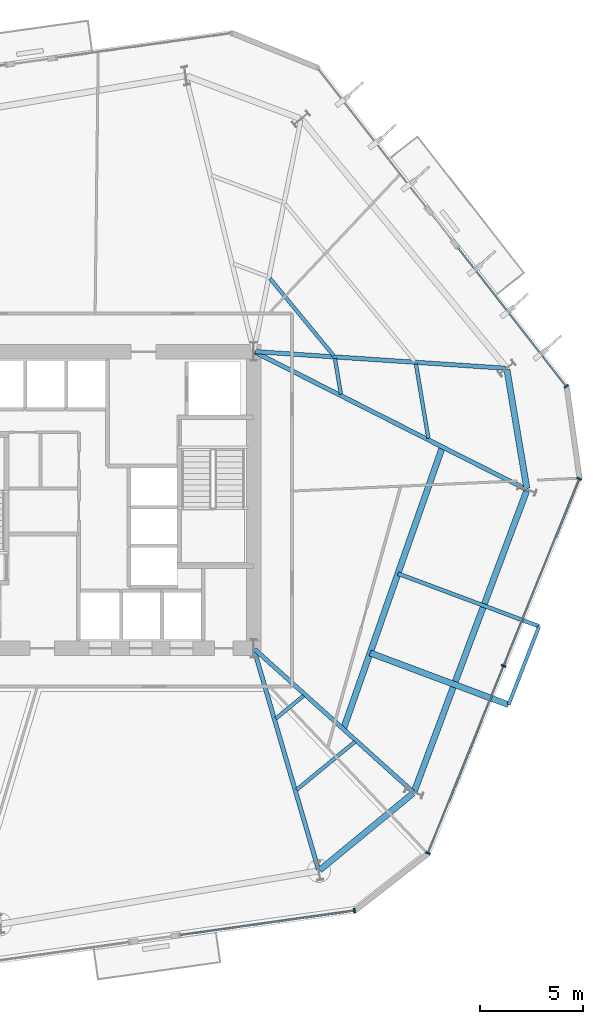
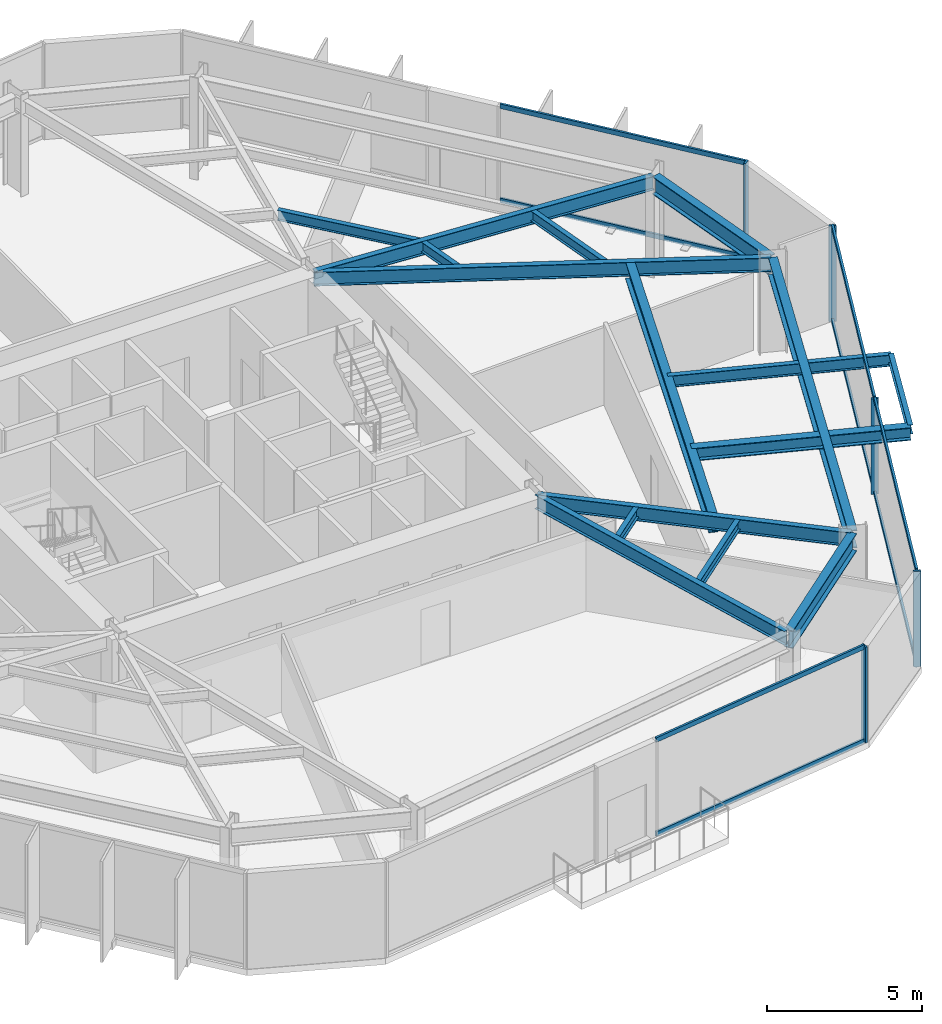
# One storey, part 3 of 10: 16 beams, 13 members, 3 elements without a shape of their own.
"""IFC4 building model written with IfcOpenShell, lengths in metres."""

import ifcopenshell
import ifcopenshell.guid

model = None  # the IFC model being written
_history = None  # IfcOwnerHistory: only IFC2X3 demands one
_inside = {}  # id of a spatial element -> (the spatial element, [elements in it])
_under = {}  # id of a project, library or spatial element -> (it, [spatial elements below it])
_declared = {}  # id of a project -> (the project, [libraries it declares])
_typed = {}  # id of a type object -> (the type object, [elements of that type])
_made_of = {}  # id of a material, layer set ... -> (it, [elements and type objects made of it])


def new_model(schema):
    """Start an empty IFC model of exactly this schema.

    Asked for "IFC4X3", IfcOpenShell would pick the latest addendum, in which some entities
    have other attributes; the version numbers below select the first issue.
    IFC2X3 requires an IfcOwnerHistory on every rooted entity: one is made here for all.
    """
    global model, _history
    if schema == "IFC4X3":
        model = ifcopenshell.file(schema_version=(4, 3, 0, 0))
    else:
        model = ifcopenshell.file(schema=schema)
    _inside.clear()
    _under.clear()
    _declared.clear()
    _typed.clear()
    _made_of.clear()
    _history = None
    if model.schema == "IFC2X3":
        org = make("IfcOrganization", Name="unknown")
        user = make(
            "IfcPersonAndOrganization",
            ThePerson=make("IfcPerson", FamilyName="unknown"),
            TheOrganization=org,
        )
        app = make(
            "IfcApplication",
            ApplicationDeveloper=org,
            Version="unknown",
            ApplicationFullName="unknown",
            ApplicationIdentifier="unknown",
        )
        _history = make(
            "IfcOwnerHistory",
            OwningUser=user,
            OwningApplication=app,
            ChangeAction="ADDED",
            CreationDate=0,
        )
    return model


def make(cls, **values):
    """One entity of the class cls with the attributes given. An attribute that is None is left unset."""
    return model.create_entity(
        cls, **{name: value for name, value in values.items() if value is not None}
    )


def rooted(cls, **values):
    """An entity with a GlobalId (a new one), such as an element, a storey or a relation."""
    return make(cls, GlobalId=ifcopenshell.guid.new(), OwnerHistory=_history, **values)


def si_unit(unit_type, name, prefix=None):
    """IfcSIUnit, for example si_unit("LENGTHUNIT", "METRE", prefix="MILLI")."""
    return make("IfcSIUnit", UnitType=unit_type, Prefix=prefix, Name=name)


def assignment(units):
    """IfcUnitAssignment: the units of a project."""
    return None if units is None else make("IfcUnitAssignment", Units=units)


def point(xyz):
    """IfcCartesianPoint."""
    return None if xyz is None else make("IfcCartesianPoint", Coordinates=xyz)


def direction(xyz):
    """IfcDirection."""
    return None if xyz is None else make("IfcDirection", DirectionRatios=xyz)


def frame(location, z_axis=None, x_axis=None):
    """IfcAxis2Placement3D, a coordinate frame: its origin and axes. An axis left out is left unset."""
    return make(
        "IfcAxis2Placement3D",
        Location=point(location),
        Axis=direction(z_axis),
        RefDirection=direction(x_axis),
    )


def frame_2d(location, x_axis=None):
    """IfcAxis2Placement2D, a coordinate frame in the plane: its origin and x axis."""
    return make(
        "IfcAxis2Placement2D", Location=point(location), RefDirection=direction(x_axis)
    )


def origin():
    """The frame at (0, 0, 0) with its axes left unset."""
    return frame((0.0, 0.0, 0.0))


def origin_2d():
    """The frame at (0, 0) in the plane with its x axis left unset."""
    return frame_2d((0.0, 0.0))


def place(relative_to, where):
    """IfcLocalPlacement: puts the frame where relative to a parent placement (None: the world)."""
    return make(
        "IfcLocalPlacement", PlacementRelTo=relative_to, RelativePlacement=where
    )


def context(
    kind, dimensions, precision=None, world=None, true_north=None, identifier=None
):
    """IfcGeometricRepresentationContext, for example the 3D "Model" context."""
    return make(
        "IfcGeometricRepresentationContext",
        ContextIdentifier=identifier,
        ContextType=kind,
        CoordinateSpaceDimension=dimensions,
        Precision=precision,
        WorldCoordinateSystem=world,
        TrueNorth=true_north,
    )


def subcontext(parent, identifier, kind, view, scale=None):
    """IfcGeometricRepresentationSubContext, for example "Body" below "Model"."""
    return make(
        "IfcGeometricRepresentationSubContext",
        ContextIdentifier=identifier,
        ContextType=kind,
        ParentContext=parent,
        TargetScale=scale,
        TargetView=view,
    )


def project(units=None, contexts=None):
    """IfcProject with its units and contexts."""
    return rooted(
        "IfcProject",
        Name="project",
        RepresentationContexts=contexts,
        UnitsInContext=assignment(units),
    )


def spatial(cls, under=None, at=None, **own):
    """A site, building, storey or space (cls), placed at a placement, below another one or the project."""
    s = rooted(cls, ObjectPlacement=at, **own)
    if under is not None:
        _under.setdefault(under.id(), (under, []))[1].append(s)
    return s


def profile(cls, at=None, kind="AREA", **sizes):
    """A parametric profile (cls). Its sizes go by their IFC names, for example OverallWidth=200.0."""
    return make(cls, ProfileType=kind, Position=at, **sizes)


def rectangle(**sizes):
    """IfcRectangleProfileDef."""
    return profile("IfcRectangleProfileDef", **sizes)


def i_section(**sizes):
    """IfcIShapeProfileDef."""
    return profile("IfcIShapeProfileDef", **sizes)


def extrude(swept, where, along, depth):
    """IfcExtrudedAreaSolid: the profile swept, set in the frame where, extruded along a direction by depth."""
    return make(
        "IfcExtrudedAreaSolid",
        SweptArea=swept,
        Position=where,
        ExtrudedDirection=direction(along),
        Depth=depth,
    )


def shape(context_of_items, identifier, shape_type, items):
    """IfcShapeRepresentation: the items that make up one representation, for example the "Body"."""
    return make(
        "IfcShapeRepresentation",
        ContextOfItems=context_of_items,
        RepresentationIdentifier=identifier,
        RepresentationType=shape_type,
        Items=items,
    )


def material(Name=None, Category=None):
    """IfcMaterial."""
    return make("IfcMaterial", Name=Name, Category=Category)


def layer(
    of_material, thickness, ventilated=None, Name=None, Category=None, Priority=None
):
    """IfcMaterialLayer: one layer of a wall or slab, of a material (None: an air gap)."""
    return make(
        "IfcMaterialLayer",
        Material=of_material,
        LayerThickness=thickness,
        IsVentilated=ventilated,
        Name=Name,
        Category=Category,
        Priority=Priority,
    )


def layer_set(layers, Name=None):
    """IfcMaterialLayerSet."""
    return make("IfcMaterialLayerSet", MaterialLayers=layers, LayerSetName=Name)


def material_profile(
    of_material, cross_section, Name=None, Category=None, Priority=None
):
    """IfcMaterialProfile: a cross section and its material."""
    return make(
        "IfcMaterialProfile",
        Name=Name,
        Material=of_material,
        Profile=cross_section,
        Priority=Priority,
        Category=Category,
    )


def profile_set(profiles, Name=None, composite=None):
    """IfcMaterialProfileSet."""
    return make(
        "IfcMaterialProfileSet",
        Name=Name,
        MaterialProfiles=profiles,
        CompositeProfile=composite,
    )


def made_of(thing, what):
    """Note that an element or type object is made of a material, layer set ...; save() writes the relation."""
    if what is not None:
        _made_of.setdefault(what.id(), (what, []))[1].append(thing)
    return thing


def type_object(cls, material=None, **own):
    """A type object (cls), such as IfcWallType, which elements share."""
    return made_of(rooted(cls, **own), material)


def element(
    cls,
    number,
    at=None,
    inside=None,
    cuts=None,
    type_object=None,
    material=None,
    context=None,
    identifier="Body",
    shape_type=None,
    held_by="IfcProductDefinitionShape",
    body=None,
    shapes=None,
    **own,
):
    """One element of the class cls, such as IfcWall. Its Tag is "e" and its number.

    at: its placement. inside: the storey or other place that contains it. cuts: it is an
    opening in that element (IfcRelVoidsElement). A single representation is given by context,
    identifier, shape_type and body (its items); several are given by shapes. held_by: the class
    of the entity that holds the representations. save() writes the other relations.
    """
    e = rooted(cls, Tag="e%d" % number, ObjectPlacement=at, **own)
    if body is not None:
        shapes = [shape(context, identifier, shape_type, body)]
    if shapes is not None:
        e.Representation = make(held_by, Representations=shapes)
    if inside is not None:
        _inside.setdefault(inside.id(), (inside, []))[1].append(e)
    if cuts is not None:
        rooted(
            "IfcRelVoidsElement", RelatingBuildingElement=cuts, RelatedOpeningElement=e
        )
    if type_object is not None:
        _typed.setdefault(type_object.id(), (type_object, []))[1].append(e)
    return made_of(e, material)


def aggregate(whole, parts):
    """IfcRelAggregates: a whole, such as a stair, and the parts it consists of."""
    return rooted("IfcRelAggregates", RelatingObject=whole, RelatedObjects=parts)


def save(model, path):
    """Write the relations noted so far, then the file.

    IfcRelAggregates (storeys below a building ...), IfcRelContainedInSpatialStructure (elements
    in a storey), IfcRelDefinesByType, IfcRelAssociatesMaterial and IfcRelDeclares: one each for
    every whole, place, type object, material and project.
    """
    for whole, parts in _under.values():
        aggregate(whole, parts)
    for where, things in _inside.values():
        rooted(
            "IfcRelContainedInSpatialStructure",
            RelatedElements=things,
            RelatingStructure=where,
        )
    for kind, things in _typed.values():
        rooted("IfcRelDefinesByType", RelatedObjects=things, RelatingType=kind)
    for what, things in _made_of.values():
        rooted("IfcRelAssociatesMaterial", RelatedObjects=things, RelatingMaterial=what)
    for by, libraries in _declared.values():
        rooted("IfcRelDeclares", RelatingContext=by, RelatedDefinitions=libraries)
    model.write(path)


model = new_model("IFC4")

# Units and contexts
model_context = context("Model", 3, precision=1e-05, world=origin(), true_north=direction((0.0, 1.0)))
body_context = subcontext(model_context, "Body", "Model", "MODEL_VIEW")
ifc_project = project(units=[si_unit("LENGTHUNIT", "METRE"), si_unit("AREAUNIT", "SQUARE_METRE"), si_unit("VOLUMEUNIT", "CUBIC_METRE"), si_unit("PLANEANGLEUNIT", "RADIAN"), si_unit("MASSUNIT", "GRAM", prefix="KILO")], contexts=[model_context])

# Site, building, storey
site_placement = place(None, origin())
site = spatial("IfcSite", under=ifc_project, at=site_placement, CompositionType="ELEMENT")
building_placement = place(site_placement, origin())
building = spatial("IfcBuilding", under=site, at=building_placement, Name="Kranzbogen Civic Tower", CompositionType="ELEMENT")
storey_placement = place(building_placement, frame((0.0, 0.0, 52.0)))
storey = spatial("IfcBuildingStorey", under=building, at=storey_placement, Name="L12", CompositionType="ELEMENT", Elevation=52.0)

# Beam
ifc_material_1 = material(Name="Steel S355", Category="steel")
ifc_material_profile_1 = material_profile(ifc_material_1, i_section(OverallWidth=0.18994140625, OverallDepth=0.449951171875, WebThickness=0.009521484375, FlangeThickness=0.0146484375, at=origin_2d()), Name="IPE 450")
ifc_profile_set_1 = profile_set([ifc_material_profile_1], Name="Steel S355")
beam_type_1 = type_object("IfcBeamType", Name="Braced Terrace Edge Beam IPE 450", PredefinedType="BEAM", material=ifc_profile_set_1)
beam_1_placement = place(storey_placement, frame((39.7958984375, 21.431884765625, 3.52490234375), z_axis=(0.936673386352, -0.350204179444, 0.0), x_axis=(0.350204179444, 0.936673386352, 0.0)))
element("IfcBeam", 1, at=beam_1_placement, inside=storey, type_object=beam_type_1, Name="L13 back-spanned terrace beam L13-TB2-2", PredefinedType="BEAM", context=body_context, shape_type="SweptSolid", body=[
    extrude(i_section(OverallWidth=0.18994140625, OverallDepth=0.449951171875, WebThickness=0.009521484375, FlangeThickness=0.0146484375, at=origin_2d()), origin(), (0.0, 0.0, 1.0), 7.306640625),
])

# Curtain wall, member
ifc_material_2 = material(Name="Pale Anodised Aluminium", Category="aluminium")
ifc_layer = layer(ifc_material_2, 0.219970703125, Name="Pale Anodised Aluminium")
ifc_layer_set = layer_set([ifc_layer], Name="Pale Anodised Aluminium")
curtain_wall_type = type_object("IfcCurtainWallType", Name="Zone 1 Stick Curtain Wall System CW-02", PredefinedType="USERDEFINED", material=ifc_layer_set)
curtain_wall_1_placement = place(storey_placement, origin())
curtain_wall_1 = element("IfcCurtainWall", 2, at=curtain_wall_1_placement, inside=storey, type_object=curtain_wall_type, Name="L12 curtain wall CW-L12-F1-S1", ObjectType="STICK CURTAIN WALL", PredefinedType="USERDEFINED")
ifc_material_profile_2 = material_profile(ifc_material_2, rectangle(XDim=0.080078125, YDim=0.239990234375, at=origin_2d()), Name="ALU-M 80x240")
ifc_profile_set_2 = profile_set([ifc_material_profile_2], Name="Pale Anodised Aluminium")
member_type_1 = type_object("IfcMemberType", Name="Curtain Wall Mullion ALU-M 80x240", PredefinedType="MULLION", material=ifc_profile_set_2)
member_1_placement = place(storey_placement, frame((47.95947265625, 30.51171875, 0.0), z_axis=(0.0, 0.0, 1.0), x_axis=(-0.615657546706, 0.788013822965, 0.0)))
member_1 = element("IfcMember", 3, at=member_1_placement, type_object=member_type_1, Name="CW-02 mullion 1", PredefinedType="MULLION", context=body_context, shape_type="SweptSolid", body=[
    extrude(rectangle(XDim=0.080078125, YDim=0.239990234375, at=origin_2d()), origin(), (0.0, 0.0, 1.0), 3.760009765625),
])

curtain_wall_2_placement = place(storey_placement, origin())
curtain_wall_2 = element("IfcCurtainWall", 4, at=curtain_wall_2_placement, inside=storey, type_object=curtain_wall_type, Name="L12 curtain wall CW-L12-F5-S2", ObjectType="STICK CURTAIN WALL", PredefinedType="USERDEFINED")
member_2_placement = place(storey_placement, frame((37.687255859375, 5.0869140625, 0.0), z_axis=(0.0, 0.0, 1.0), x_axis=(0.990267072018, 0.139180192835, 0.0)))
member_2 = element("IfcMember", 5, at=member_2_placement, type_object=member_type_1, Name="CW-02 mullion 2", PredefinedType="MULLION", context=body_context, shape_type="SweptSolid", body=[
    extrude(rectangle(XDim=0.080078125, YDim=0.239990234375, at=origin_2d()), origin(), (0.0, 0.0, 1.0), 3.760009765625),
])

# Curtain wall, members
curtain_wall_3_placement = place(storey_placement, origin())
curtain_wall_3 = element("IfcCurtainWall", 6, at=curtain_wall_3_placement, inside=storey, type_object=curtain_wall_type, Name="L12 curtain wall CW-L12-F6", ObjectType="STICK CURTAIN WALL", PredefinedType="USERDEFINED")
member_3_placement = place(storey_placement, frame((41.253173828125, 7.872802734375, 0.0), z_axis=(0.0, 0.0, 1.0), x_axis=(0.374583413468, 0.927193219537, 0.0)))
member_3 = element("IfcMember", 7, at=member_3_placement, type_object=member_type_1, Name="CW-02 mullion 1", PredefinedType="MULLION", context=body_context, shape_type="SweptSolid", body=[
    extrude(rectangle(XDim=0.080078125, YDim=0.239990234375, at=origin_2d()), origin(), (0.0, 0.0, 1.0), 3.760009765625),
])
member_4_placement = place(storey_placement, frame((44.9208984375, 16.951416015625, 0.0), z_axis=(0.0, 0.0, 1.0), x_axis=(0.374583413468, 0.927193219537, 0.0)))
member_4 = element("IfcMember", 8, at=member_4_placement, type_object=member_type_1, Name="CW-02 mullion 2", PredefinedType="MULLION", context=body_context, shape_type="SweptSolid", body=[
    extrude(rectangle(XDim=0.080078125, YDim=0.239990234375, at=origin_2d()), origin(), (0.0, 0.0, 1.0), 3.760009765625),
])
member_5_placement = place(storey_placement, frame((48.5888671875, 26.0302734375, 0.0), z_axis=(0.0, 0.0, 1.0), x_axis=(0.374583413468, 0.927193219537, 0.0)))
member_5 = element("IfcMember", 9, at=member_5_placement, type_object=member_type_1, Name="CW-02 mullion 3", PredefinedType="MULLION", context=body_context, shape_type="SweptSolid", body=[
    extrude(rectangle(XDim=0.080078125, YDim=0.239990234375, at=origin_2d()), origin(), (0.0, 0.0, 1.0), 3.760009765625),
])

# Member
ifc_material_profile_3 = material_profile(ifc_material_2, rectangle(XDim=0.080078125, YDim=0.179931640625, at=origin_2d()), Name="ALU-T 80x180")
ifc_profile_set_3 = profile_set([ifc_material_profile_3], Name="Pale Anodised Aluminium")
member_type_2 = type_object("IfcMemberType", Name="Curtain Wall Transom ALU-T 80x180", PredefinedType="USERDEFINED", material=ifc_profile_set_3)
member_6_placement = place(storey_placement, frame((47.941162109375, 30.535400390625, 0.030029296875), z_axis=(-0.615670791051, 0.788003475276, 0.0), x_axis=(-0.788003475276, -0.615670791051, 0.0)))
member_6 = element("IfcMember", 10, at=member_6_placement, type_object=member_type_2, Name="CW-02 transom 1.1", ObjectType="TRANSOM", PredefinedType="USERDEFINED", context=body_context, shape_type="SweptSolid", body=[
    extrude(rectangle(XDim=0.080078125, YDim=0.179931640625, at=origin_2d()), origin(), (0.0, 0.0, 1.0), 8.50146484375),
])

member_7_placement = place(storey_placement, frame((47.941162109375, 30.535400390625, 3.72998046875), z_axis=(-0.615670791051, 0.788003475276, 0.0), x_axis=(-0.788003475276, -0.615670791051, 0.0)))
member_7 = element("IfcMember", 11, at=member_7_placement, type_object=member_type_2, Name="CW-02 transom 1.2", ObjectType="TRANSOM", PredefinedType="USERDEFINED", context=body_context, shape_type="SweptSolid", body=[
    extrude(rectangle(XDim=0.080078125, YDim=0.179931640625, at=origin_2d()), origin(), (0.0, 0.0, 1.0), 8.50146484375),
])

aggregate(curtain_wall_1, [member_1, member_6, member_7])

member_8_placement = place(storey_placement, frame((29.238525390625, 3.8994140625, 0.030029296875), z_axis=(0.990265734132, 0.139189711557, 0.0), x_axis=(-0.139189711557, 0.990265734132, 0.0)))
member_8 = element("IfcMember", 12, at=member_8_placement, type_object=member_type_2, Name="CW-02 transom 1.1", ObjectType="TRANSOM", PredefinedType="USERDEFINED", context=body_context, shape_type="SweptSolid", body=[
    extrude(rectangle(XDim=0.080078125, YDim=0.179931640625, at=origin_2d()), origin(), (0.0, 0.0, 1.0), 8.501708984375),
])

member_9_placement = place(storey_placement, frame((29.238525390625, 3.8994140625, 3.72998046875), z_axis=(0.990265734132, 0.139189711557, 0.0), x_axis=(-0.139189711557, 0.990265734132, 0.0)))
member_9 = element("IfcMember", 13, at=member_9_placement, type_object=member_type_2, Name="CW-02 transom 1.2", ObjectType="TRANSOM", PredefinedType="USERDEFINED", context=body_context, shape_type="SweptSolid", body=[
    extrude(rectangle(XDim=0.080078125, YDim=0.179931640625, at=origin_2d()), origin(), (0.0, 0.0, 1.0), 8.501708984375),
])

aggregate(curtain_wall_2, [member_2, member_8, member_9])

member_10_placement = place(storey_placement, frame((41.264404296875, 7.900634765625, 0.030029296875), z_axis=(0.374584999088, 0.927192578949, 0.0), x_axis=(-0.927192578949, 0.374584999088, 0.0)))
member_10 = element("IfcMember", 14, at=member_10_placement, type_object=member_type_2, Name="CW-02 transom 1.1", ObjectType="TRANSOM", PredefinedType="USERDEFINED", context=body_context, shape_type="SweptSolid", body=[
    extrude(rectangle(XDim=0.080078125, YDim=0.179931640625, at=origin_2d()), origin(), (0.0, 0.0, 1.0), 9.7314453125),
])

member_11_placement = place(storey_placement, frame((41.264404296875, 7.900634765625, 3.72998046875), z_axis=(0.374584999088, 0.927192578949, 0.0), x_axis=(-0.927192578949, 0.374584999088, 0.0)))
member_11 = element("IfcMember", 15, at=member_11_placement, type_object=member_type_2, Name="CW-02 transom 1.2", ObjectType="TRANSOM", PredefinedType="USERDEFINED", context=body_context, shape_type="SweptSolid", body=[
    extrude(rectangle(XDim=0.080078125, YDim=0.179931640625, at=origin_2d()), origin(), (0.0, 0.0, 1.0), 9.7314453125),
])

member_12_placement = place(storey_placement, frame((44.93212890625, 16.979248046875, 0.030029296875), z_axis=(0.374597852927, 0.927187385905, 0.0), x_axis=(-0.927187385905, 0.374597852927, 0.0)))
member_12 = element("IfcMember", 16, at=member_12_placement, type_object=member_type_2, Name="CW-02 transom 2.1", ObjectType="TRANSOM", PredefinedType="USERDEFINED", context=body_context, shape_type="SweptSolid", body=[
    extrude(rectangle(XDim=0.080078125, YDim=0.179931640625, at=origin_2d()), origin(), (0.0, 0.0, 1.0), 9.731689453125),
])

member_13_placement = place(storey_placement, frame((44.93212890625, 16.979248046875, 3.72998046875), z_axis=(0.374597852927, 0.927187385905, 0.0), x_axis=(-0.927187385905, 0.374597852927, 0.0)))
member_13 = element("IfcMember", 17, at=member_13_placement, type_object=member_type_2, Name="CW-02 transom 2.2", ObjectType="TRANSOM", PredefinedType="USERDEFINED", context=body_context, shape_type="SweptSolid", body=[
    extrude(rectangle(XDim=0.080078125, YDim=0.179931640625, at=origin_2d()), origin(), (0.0, 0.0, 1.0), 9.731689453125),
])

aggregate(curtain_wall_3, [member_3, member_4, member_5, member_10, member_11, member_12, member_13])

# Beams
ifc_material_profile_4 = material_profile(ifc_material_1, i_section(OverallWidth=0.300048828125, OverallDepth=0.5, WebThickness=0.014404296875, FlangeThickness=0.028076171875, at=origin_2d()), Name="HEB 500")
ifc_profile_set_4 = profile_set([ifc_material_profile_4], Name="Steel S355")
beam_type_2 = type_object("IfcBeamType", Name="Perimeter Tube Spandrel Beam HEB 500", PredefinedType="SPANDREL", material=ifc_profile_set_4)
beam_2_placement = place(storey_placement, frame((38.445068359375, 17.5810546875, 3.5), z_axis=(0.936670176047, -0.350212765764, 0.0), x_axis=(0.350212765764, 0.936670176047, 0.0)))
element("IfcBeam", 18, at=beam_2_placement, inside=storey, type_object=beam_type_2, Name="L13 back-spanned terrace beam L13-TB2-1", PredefinedType="SPANDREL", context=body_context, shape_type="SweptSolid", body=[
    extrude(i_section(OverallWidth=0.300048828125, OverallDepth=0.5, WebThickness=0.014404296875, FlangeThickness=0.028076171875, at=origin_2d()), origin(), (0.0, 0.0, 1.0), 7.169921875),
])
ifc_material_profile_5 = material_profile(ifc_material_1, i_section(OverallWidth=0.300048828125, OverallDepth=0.699951171875, WebThickness=0.01708984375, FlangeThickness=0.031982421875, at=origin_2d()), Name="HEB 700")
ifc_profile_set_5 = profile_set([ifc_material_profile_5], Name="Steel S355")
beam_type_3 = type_object("IfcBeamType", Name="Perimeter Tube Spandrel Beam HEB 700", PredefinedType="SPANDREL", material=ifc_profile_set_5)
beam_3_placement = place(storey_placement, frame((36.00390625, 7.050048828125, 3.409912109375), z_axis=(0.77168336865, 0.636006901337, 0.0), x_axis=(-0.636006901337, 0.77168336865, 0.0)))
element("IfcBeam", 19, at=beam_3_placement, inside=storey, type_object=beam_type_3, Name="L12 perimeter spandrel beam 05", PredefinedType="SPANDREL", context=body_context, shape_type="SweptSolid", body=[
    extrude(i_section(OverallWidth=0.300048828125, OverallDepth=0.699951171875, WebThickness=0.01708984375, FlangeThickness=0.031982421875, at=origin_2d()), origin(), (0.0, 0.0, 1.0), 5.853515625),
])
beam_4_placement = place(storey_placement, frame((40.587890625, 10.866943359375, 3.409912109375), z_axis=(0.350172267932, 0.936685316833, 0.0), x_axis=(-0.936685316833, 0.350172267932, 0.0)))
element("IfcBeam", 20, at=beam_4_placement, inside=storey, type_object=beam_type_3, Name="L12 perimeter spandrel beam 06", PredefinedType="SPANDREL", context=body_context, shape_type="SweptSolid", body=[
    extrude(i_section(OverallWidth=0.300048828125, OverallDepth=0.699951171875, WebThickness=0.01708984375, FlangeThickness=0.031982421875, at=origin_2d()), origin(), (0.0, 0.0, 1.0), 15.55810546875),
])
beam_5_placement = place(storey_placement, frame((46.047119140625, 25.554931640625, 3.409912109375), z_axis=(-0.164913116942, 0.986308097838, 0.0), x_axis=(-0.986308097838, -0.164913116942, 0.0)))
element("IfcBeam", 21, at=beam_5_placement, inside=storey, type_object=beam_type_3, Name="L12 perimeter spandrel beam 07", PredefinedType="SPANDREL", context=body_context, shape_type="SweptSolid", body=[
    extrude(i_section(OverallWidth=0.300048828125, OverallDepth=0.699951171875, WebThickness=0.01708984375, FlangeThickness=0.031982421875, at=origin_2d()), origin(), (0.0, 0.0, 1.0), 5.85205078125),
])
beam_6_placement = place(storey_placement, frame((37.14794921875, 13.887939453125, 3.39990234375), z_axis=(0.331242591506, 0.943545624531, 0.0), x_axis=(-0.943545624531, 0.331242591506, 0.0)))
element("IfcBeam", 22, at=beam_6_placement, inside=storey, type_object=beam_type_3, Name="L13 balcony back-span header girder L13-TB2", PredefinedType="SPANDREL", context=body_context, shape_type="SweptSolid", body=[
    extrude(i_section(OverallWidth=0.300048828125, OverallDepth=0.699951171875, WebThickness=0.01708984375, FlangeThickness=0.031982421875, at=origin_2d()), origin(), (0.0, 0.0, 1.0), 14.5029296875),
])
ifc_material_profile_6 = material_profile(ifc_material_1, i_section(OverallWidth=0.2099609375, OverallDepth=0.550048828125, WebThickness=0.010986328125, FlangeThickness=0.01708984375, at=origin_2d()), Name="IPE 550")
ifc_profile_set_6 = profile_set([ifc_material_profile_6], Name="Steel S355")
beam_type_4 = type_object("IfcBeamType", Name="Radial Tower Floor Girder IPE 550", PredefinedType="BEAM", material=ifc_profile_set_6)
beam_7_placement = place(storey_placement, frame((35.94091796875, 7.070068359375, 3.485107421875), z_axis=(-0.280944131918, 0.959724124288, 0.0), x_axis=(-0.959724124288, -0.280944131918, 0.0)))
element("IfcBeam", 23, at=beam_7_placement, inside=storey, type_object=beam_type_4, Name="L12 radial floor girder 05", PredefinedType="BEAM", context=body_context, shape_type="SweptSolid", body=[
    extrude(i_section(OverallWidth=0.2099609375, OverallDepth=0.550048828125, WebThickness=0.010986328125, FlangeThickness=0.01708984375, at=origin_2d()), origin(), (0.0, 0.0, 1.0), 11.11962890625),
])
beam_8_placement = place(storey_placement, frame((40.52197265625, 10.85107421875, 3.485107421875), z_axis=(-0.743311776894, 0.668945141496, 0.0), x_axis=(-0.668945141496, -0.743311776894, 0.0)))
element("IfcBeam", 24, at=beam_8_placement, inside=storey, type_object=beam_type_4, Name="L12 radial floor girder 06", PredefinedType="BEAM", context=body_context, shape_type="SweptSolid", body=[
    extrude(i_section(OverallWidth=0.2099609375, OverallDepth=0.550048828125, WebThickness=0.010986328125, FlangeThickness=0.01708984375, at=origin_2d()), origin(), (0.0, 0.0, 1.0), 10.328125),
])
beam_9_placement = place(storey_placement, frame((46.0029296875, 25.52294921875, 3.485107421875), z_axis=(-0.892363219254, 0.451317942168, 0.0), x_axis=(-0.451317942168, -0.892363219254, 0.0)))
element("IfcBeam", 25, at=beam_9_placement, inside=storey, type_object=beam_type_4, Name="L12 radial floor girder 07", PredefinedType="BEAM", context=body_context, shape_type="SweptSolid", body=[
    extrude(i_section(OverallWidth=0.2099609375, OverallDepth=0.550048828125, WebThickness=0.010986328125, FlangeThickness=0.01708984375, at=origin_2d()), origin(), (0.0, 0.0, 1.0), 14.73486328125),
])
beam_10_placement = place(storey_placement, frame((45.011962890625, 31.389892578125, 3.485107421875), z_axis=(-0.99780674843, 0.066194356156, 0.0), x_axis=(-0.066194356156, -0.99780674843, 0.0)))
element("IfcBeam", 26, at=beam_10_placement, inside=storey, type_object=beam_type_4, Name="L12 radial floor girder 08", PredefinedType="BEAM", context=body_context, shape_type="SweptSolid", body=[
    extrude(i_section(OverallWidth=0.2099609375, OverallDepth=0.550048828125, WebThickness=0.010986328125, FlangeThickness=0.01708984375, at=origin_2d()), origin(), (0.0, 0.0, 1.0), 12.178466796875),
])
ifc_material_profile_7 = material_profile(ifc_material_1, i_section(OverallWidth=0.169921875, OverallDepth=0.360107421875, WebThickness=0.008056640625, FlangeThickness=0.0126953125, at=origin_2d()), Name="IPE 360")
ifc_profile_set_7 = profile_set([ifc_material_profile_7], Name="Steel S355")
beam_type_5 = type_object("IfcBeamType", Name="Secondary Composite Floor Joist IPE 360", PredefinedType="JOIST", material=ifc_profile_set_7)
beam_11_placement = place(storey_placement, frame((45.160888671875, 15.070068359375, 3.570068359375), z_axis=(0.362460697725, 0.931999057191, 0.0), x_axis=(-0.931999057191, 0.362460697725, 0.0)))
element("IfcBeam", 27, at=beam_11_placement, inside=storey, type_object=beam_type_5, Name="L13 terrace outer edge trimmer L13-TB2", PredefinedType="JOIST", context=body_context, shape_type="SweptSolid", body=[
    extrude(i_section(OverallWidth=0.169921875, OverallDepth=0.360107421875, WebThickness=0.008056640625, FlangeThickness=0.0126953125, at=origin_2d()), origin(), (0.0, 0.0, 1.0), 4.08056640625),
])
ifc_material_profile_8 = material_profile(ifc_material_1, i_section(OverallWidth=0.179931640625, OverallDepth=0.39990234375, WebThickness=0.008544921875, FlangeThickness=0.013427734375, at=origin_2d()), Name="IPE 400")
ifc_profile_set_8 = profile_set([ifc_material_profile_8], Name="Steel S355")
beam_type_6 = type_object("IfcBeamType", Name="Secondary Composite Floor Joist IPE 400", PredefinedType="JOIST", material=ifc_profile_set_8)
beam_12_placement = place(storey_placement, frame((34.883056640625, 10.947021484375, 3.56005859375), z_axis=(0.771712720426, 0.635971286406, 0.0), x_axis=(-0.635971286406, 0.771712720426, 0.0)))
element("IfcBeam", 28, at=beam_12_placement, inside=storey, type_object=beam_type_6, Name="L12 secondary floor joist 1.05", PredefinedType="JOIST", context=body_context, shape_type="SweptSolid", body=[
    extrude(i_section(OverallWidth=0.179931640625, OverallDepth=0.39990234375, WebThickness=0.008544921875, FlangeThickness=0.013427734375, at=origin_2d()), origin(), (0.0, 0.0, 1.0), 3.661865234375),
])
beam_13_placement = place(storey_placement, frame((33.8720703125, 14.39892578125, 3.56005859375), z_axis=(0.771773324836, 0.635897739477, 0.0), x_axis=(-0.635897739477, 0.771773324836, 0.0)))
element("IfcBeam", 29, at=beam_13_placement, inside=storey, type_object=beam_type_6, Name="L12 secondary floor joist 2.05", PredefinedType="JOIST", context=body_context, shape_type="SweptSolid", body=[
    extrude(i_section(OverallWidth=0.179931640625, OverallDepth=0.39990234375, WebThickness=0.008544921875, FlangeThickness=0.013427734375, at=origin_2d()), origin(), (0.0, 0.0, 1.0), 1.751953125),
])
beam_14_placement = place(storey_placement, frame((41.27099609375, 27.988037109375, 3.56005859375), z_axis=(-0.164928678379, 0.986305495802, 0.0), x_axis=(-0.986305495802, -0.164928678379, 0.0)))
element("IfcBeam", 30, at=beam_14_placement, inside=storey, type_object=beam_type_6, Name="L12 secondary floor joist 1.07", PredefinedType="JOIST", context=body_context, shape_type="SweptSolid", body=[
    extrude(i_section(OverallWidth=0.179931640625, OverallDepth=0.39990234375, WebThickness=0.008544921875, FlangeThickness=0.013427734375, at=origin_2d()), origin(), (0.0, 0.0, 1.0), 3.662109375),
])
beam_15_placement = place(storey_placement, frame((37.029052734375, 30.134033203125, 3.56005859375), z_axis=(-0.165077224104, 0.986280644686, 0.0), x_axis=(-0.986280644686, -0.165077224104, 0.0)))
element("IfcBeam", 31, at=beam_15_placement, inside=storey, type_object=beam_type_6, Name="L12 secondary floor joist 2.07", PredefinedType="JOIST", context=body_context, shape_type="SweptSolid", body=[
    extrude(i_section(OverallWidth=0.179931640625, OverallDepth=0.39990234375, WebThickness=0.008544921875, FlangeThickness=0.013427734375, at=origin_2d()), origin(), (0.0, 0.0, 1.0), 1.7509765625),
])
beam_16_placement = place(storey_placement, frame((36.676025390625, 32.0009765625, 3.56005859375), z_axis=(-0.636012010413, 0.771679157818, 0.0), x_axis=(-0.771679157818, -0.636012010413, 0.0)))
element("IfcBeam", 32, at=beam_16_placement, inside=storey, type_object=beam_type_6, Name="L12 secondary floor joist 2.08", PredefinedType="JOIST", context=body_context, shape_type="SweptSolid", body=[
    extrude(i_section(OverallWidth=0.179931640625, OverallDepth=0.39990234375, WebThickness=0.008544921875, FlangeThickness=0.013427734375, at=origin_2d()), origin(), (0.0, 0.0, 1.0), 4.85693359375),
])

save(model, "model.ifc")
